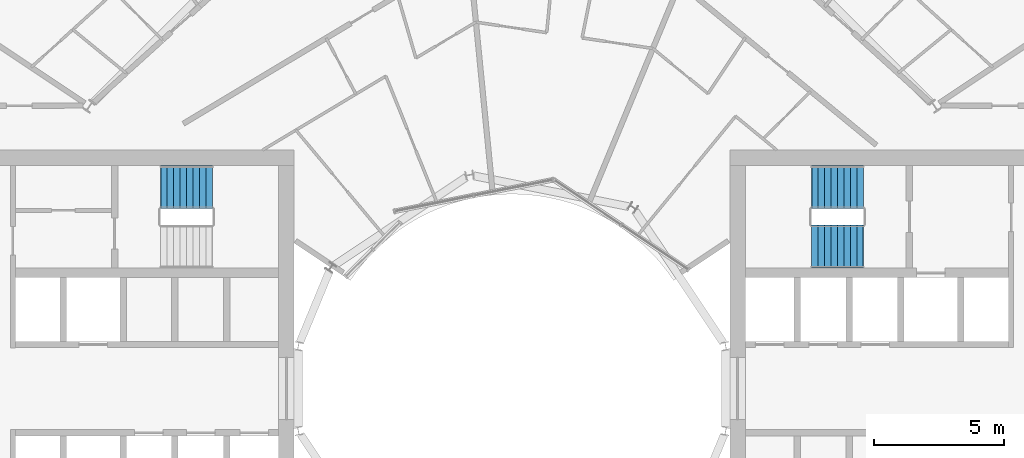
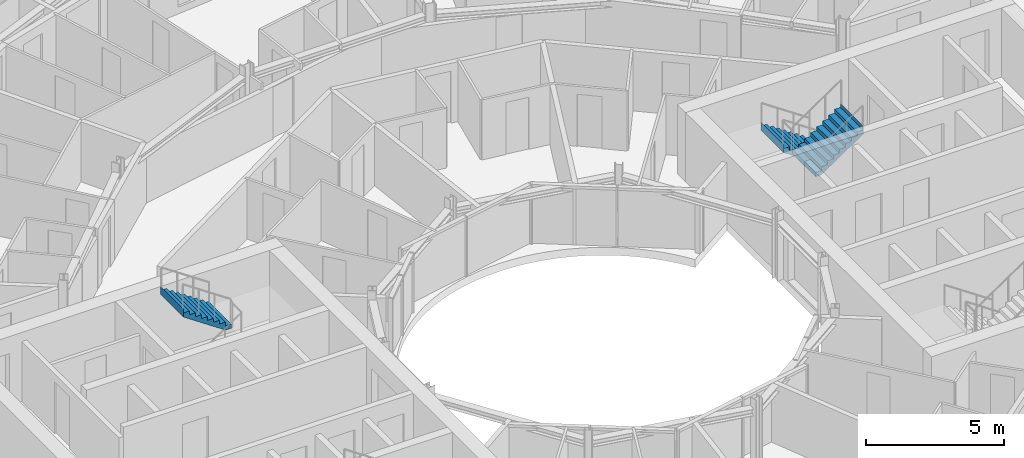
# One storey, part 25 of 27: 3 stair flights, 2 elements without a shape of their own.
"""IFC4 building model written with IfcOpenShell, lengths in metres."""

from ifc_helpers import new_model, si_unit, direction, frame, origin, place, context, subcontext, project, spatial, triangles, material, type_object, element, aggregate, save


model = new_model("IFC4")

# Units and contexts
model_context = context("Model", 3, precision=1e-05, world=origin(), true_north=direction((0.0, 1.0)))
body_context = subcontext(model_context, "Body", "Model", "MODEL_VIEW")
ifc_project = project(units=[si_unit("LENGTHUNIT", "METRE"), si_unit("AREAUNIT", "SQUARE_METRE"), si_unit("VOLUMEUNIT", "CUBIC_METRE"), si_unit("PLANEANGLEUNIT", "RADIAN"), si_unit("MASSUNIT", "GRAM", prefix="KILO")], contexts=[model_context])

# Site, building, storey
site_placement = place(None, origin())
site = spatial("IfcSite", under=ifc_project, at=site_placement, CompositionType="ELEMENT")
building_placement = place(site_placement, origin())
building = spatial("IfcBuilding", under=site, at=building_placement, Name="Maasbend Ring Residences", CompositionType="ELEMENT")
storey_placement = place(building_placement, frame((0.0, 0.0, 136.050048828125)))
storey = spatial("IfcBuildingStorey", under=building, at=storey_placement, Name="L39", CompositionType="ELEMENT", Elevation=136.050048828125)

# Stair, stair flights
ifc_material_1 = material(Name="Concrete C40/50", Category="concrete")
stair_type = type_object("IfcStairType", Name="CORE STAIR 18 RISERS", PredefinedType="HALF_TURN_STAIR", material=ifc_material_1)
stair_1_placement = place(storey_placement, origin())
stair_1 = element("IfcStair", 1, at=stair_1_placement, inside=storey, type_object=stair_type, Name="L39 Exit stair ST-E1", PredefinedType="HALF_TURN_STAIR")
ifc_material_2 = material(Name="Concrete C40/50", Category="concrete")
stair_flight_type = type_object("IfcStairFlightType", Name="CORE STAIR FLIGHT 1650", PredefinedType="STRAIGHT", material=ifc_material_2)
stair_flight_1_placement = place(storey_placement, frame((13.550048828125, 7.77490234375, 0.0), z_axis=(0.0, 0.0, 1.0), x_axis=(-1.0, 0.0, 0.0)))
stair_flight_1 = element("IfcStairFlight", 2, at=stair_flight_1_placement, type_object=stair_flight_type, Name="ST-E1 flight 1", NumberOfRisers=9, NumberOfTreads=8, PredefinedType="STRAIGHT", RiserHeight=0.169444444, TreadLength=0.25, context=body_context, shape_type="Tessellation", body=[
    triangles([(0.24072265625, 0.824951171875, -0.02001953125), (2.0029296875, 0.824951171875, 1.174560546875), (2.0029296875, 0.824951171875, 1.52490234375), (1.989990234375, 0.824951171875, 1.35546875), (1.75, 0.824951171875, 1.35546875), (1.75, 0.824951171875, 1.18603515625), (1.5, 0.824951171875, 1.18603515625), (1.5, 0.824951171875, 1.0166015625), (1.25, 0.824951171875, 1.0166015625), (1.25, 0.824951171875, 0.84716796875), (1.0, 0.824951171875, 0.84716796875), (1.0, 0.824951171875, 0.677734375), (0.75, 0.824951171875, 0.677734375), (0.75, 0.824951171875, 0.50830078125), (0.5, 0.824951171875, 0.50830078125), (0.5, 0.824951171875, 0.3388671875), (0.25, 0.824951171875, 0.3388671875), (0.25, 0.824951171875, 0.16943359375), (0.0, 0.824951171875, 0.16943359375), (0.0, 0.824951171875, 0.0), (-0.0029296875, 0.824951171875, 0.0), (-0.0029296875, 0.824951171875, -0.02001953125), (0.24072265625, 0.27490234375, -0.02001953125), (2.0029296875, 0.27490234375, 1.174560546875), (2.0029296875, 0.27490234375, 1.52490234375), (1.989990234375, 0.27490234375, 1.35546875), (1.75, 0.27490234375, 1.35546875), (1.75, 0.27490234375, 1.18603515625), (1.5, 0.27490234375, 1.18603515625), (1.5, 0.27490234375, 1.0166015625), (1.25, 0.27490234375, 1.0166015625), (1.25, 0.27490234375, 0.84716796875), (1.0, 0.27490234375, 0.84716796875), (1.0, 0.27490234375, 0.677734375), (0.75, 0.27490234375, 0.677734375), (0.75, 0.27490234375, 0.50830078125), (0.5, 0.27490234375, 0.50830078125), (0.5, 0.27490234375, 0.3388671875), (0.25, 0.27490234375, 0.3388671875), (0.25, 0.27490234375, 0.16943359375), (0.0, 0.27490234375, 0.16943359375), (0.0, 0.27490234375, 0.0), (-0.0029296875, 0.27490234375, 0.0), (-0.0029296875, 0.27490234375, -0.02001953125), (0.24072265625, -0.27490234375, -0.02001953125), (2.0029296875, -0.27490234375, 1.174560546875), (2.0029296875, -0.27490234375, 1.52490234375), (1.989990234375, -0.27490234375, 1.35546875), (1.75, -0.27490234375, 1.35546875), (1.75, -0.27490234375, 1.18603515625), (1.5, -0.27490234375, 1.18603515625), (1.5, -0.27490234375, 1.0166015625), (1.25, -0.27490234375, 1.0166015625), (1.25, -0.27490234375, 0.84716796875), (1.0, -0.27490234375, 0.84716796875), (1.0, -0.27490234375, 0.677734375), (0.75, -0.27490234375, 0.677734375), (0.75, -0.27490234375, 0.50830078125), (0.5, -0.27490234375, 0.50830078125), (0.5, -0.27490234375, 0.3388671875), (0.25, -0.27490234375, 0.3388671875), (0.25, -0.27490234375, 0.16943359375), (0.0, -0.27490234375, 0.16943359375), (0.0, -0.27490234375, 0.0), (-0.0029296875, -0.27490234375, 0.0), (-0.0029296875, -0.27490234375, -0.02001953125), (0.24072265625, -0.824951171875, -0.02001953125), (2.0029296875, -0.824951171875, 1.174560546875), (2.0029296875, -0.824951171875, 1.52490234375), (1.989990234375, -0.824951171875, 1.35546875), (1.75, -0.824951171875, 1.35546875), (1.75, -0.824951171875, 1.18603515625), (1.5, -0.824951171875, 1.18603515625), (1.5, -0.824951171875, 1.0166015625), (1.25, -0.824951171875, 1.0166015625), (1.25, -0.824951171875, 0.84716796875), (1.0, -0.824951171875, 0.84716796875), (1.0, -0.824951171875, 0.677734375), (0.75, -0.824951171875, 0.677734375), (0.75, -0.824951171875, 0.50830078125), (0.5, -0.824951171875, 0.50830078125), (0.5, -0.824951171875, 0.3388671875), (0.25, -0.824951171875, 0.3388671875), (0.25, -0.824951171875, 0.16943359375), (0.0, -0.824951171875, 0.16943359375), (0.0, -0.824951171875, 0.0), (-0.0029296875, -0.824951171875, 0.0), (-0.0029296875, -0.824951171875, -0.02001953125)], [[1, 2, 24], [1, 24, 23], [23, 24, 46], [23, 46, 45], [45, 46, 68], [45, 68, 67], [2, 3, 25], [2, 25, 24], [24, 25, 47], [24, 47, 46], [46, 47, 69], [46, 69, 68], [3, 4, 26], [3, 26, 25], [25, 26, 48], [25, 48, 47], [47, 48, 70], [47, 70, 69], [4, 5, 27], [4, 27, 26], [26, 27, 49], [26, 49, 48], [48, 49, 71], [48, 71, 70], [5, 6, 28], [5, 28, 27], [27, 28, 50], [27, 50, 49], [49, 50, 72], [49, 72, 71], [6, 7, 29], [6, 29, 28], [28, 29, 51], [28, 51, 50], [50, 51, 73], [50, 73, 72], [7, 8, 30], [7, 30, 29], [29, 30, 52], [29, 52, 51], [51, 52, 74], [51, 74, 73], [8, 9, 31], [8, 31, 30], [30, 31, 53], [30, 53, 52], [52, 53, 75], [52, 75, 74], [9, 10, 32], [9, 32, 31], [31, 32, 54], [31, 54, 53], [53, 54, 76], [53, 76, 75], [10, 11, 33], [10, 33, 32], [32, 33, 55], [32, 55, 54], [54, 55, 77], [54, 77, 76], [11, 12, 34], [11, 34, 33], [33, 34, 56], [33, 56, 55], [55, 56, 78], [55, 78, 77], [12, 13, 35], [12, 35, 34], [34, 35, 57], [34, 57, 56], [56, 57, 79], [56, 79, 78], [13, 14, 36], [13, 36, 35], [35, 36, 58], [35, 58, 57], [57, 58, 80], [57, 80, 79], [14, 15, 37], [14, 37, 36], [36, 37, 59], [36, 59, 58], [58, 59, 81], [58, 81, 80], [15, 16, 38], [15, 38, 37], [37, 38, 60], [37, 60, 59], [59, 60, 82], [59, 82, 81], [16, 17, 39], [16, 39, 38], [38, 39, 61], [38, 61, 60], [60, 61, 83], [60, 83, 82], [17, 18, 40], [17, 40, 39], [39, 40, 62], [39, 62, 61], [61, 62, 84], [61, 84, 83], [18, 19, 41], [18, 41, 40], [40, 41, 63], [40, 63, 62], [62, 63, 85], [62, 85, 84], [19, 20, 42], [19, 42, 41], [41, 42, 64], [41, 64, 63], [63, 64, 86], [63, 86, 85], [20, 21, 43], [20, 43, 42], [42, 43, 65], [42, 65, 64], [64, 65, 87], [64, 87, 86], [21, 22, 44], [21, 44, 43], [43, 44, 66], [43, 66, 65], [65, 66, 88], [65, 88, 87], [22, 1, 23], [22, 23, 44], [44, 23, 45], [44, 45, 66], [66, 45, 67], [66, 67, 88], [22, 2, 1], [2, 4, 3], [2, 5, 4], [2, 6, 5], [22, 6, 2], [6, 8, 7], [22, 8, 6], [8, 10, 9], [22, 10, 8], [10, 12, 11], [22, 12, 10], [12, 14, 13], [22, 14, 12], [14, 16, 15], [22, 16, 14], [16, 18, 17], [22, 18, 16], [18, 20, 19], [22, 20, 18], [20, 22, 21], [88, 67, 68], [68, 69, 70], [68, 70, 71], [68, 71, 72], [88, 68, 72], [72, 73, 74], [88, 72, 74], [74, 75, 76], [88, 74, 76], [76, 77, 78], [88, 76, 78], [78, 79, 80], [88, 78, 80], [80, 81, 82], [88, 80, 82], [82, 83, 84], [88, 82, 84], [84, 85, 86], [88, 84, 86], [86, 87, 88]], closed=True),
])
stair_flight_2_placement = place(storey_placement, frame((11.550048828125, 5.47509765625, 1.52490234375), z_axis=(0.0, 0.0, 1.0), x_axis=(1.0, 0.0, 0.0)))
stair_flight_2 = element("IfcStairFlight", 3, at=stair_flight_2_placement, type_object=stair_flight_type, Name="ST-E1 flight 2", NumberOfRisers=9, NumberOfTreads=8, PredefinedType="STRAIGHT", RiserHeight=0.169444444, TreadLength=0.25, context=body_context, shape_type="Tessellation", body=[
    triangles([(0.24072265625, 0.824951171875, -0.02001953125), (2.0029296875, 0.824951171875, 1.174560546875), (2.0029296875, 0.824951171875, 1.52490234375), (1.989990234375, 0.824951171875, 1.35546875), (1.75, 0.824951171875, 1.35546875), (1.75, 0.824951171875, 1.18603515625), (1.5, 0.824951171875, 1.18603515625), (1.5, 0.824951171875, 1.0166015625), (1.25, 0.824951171875, 1.0166015625), (1.25, 0.824951171875, 0.84716796875), (1.0, 0.824951171875, 0.84716796875), (1.0, 0.824951171875, 0.677734375), (0.75, 0.824951171875, 0.677734375), (0.75, 0.824951171875, 0.50830078125), (0.5, 0.824951171875, 0.50830078125), (0.5, 0.824951171875, 0.3388671875), (0.25, 0.824951171875, 0.3388671875), (0.25, 0.824951171875, 0.16943359375), (0.0, 0.824951171875, 0.16943359375), (0.0, 0.824951171875, 0.0), (-0.0029296875, 0.824951171875, 0.0), (-0.0029296875, 0.824951171875, -0.02001953125), (0.24072265625, 0.27490234375, -0.02001953125), (2.0029296875, 0.27490234375, 1.174560546875), (2.0029296875, 0.27490234375, 1.52490234375), (1.989990234375, 0.27490234375, 1.35546875), (1.75, 0.27490234375, 1.35546875), (1.75, 0.27490234375, 1.18603515625), (1.5, 0.27490234375, 1.18603515625), (1.5, 0.27490234375, 1.0166015625), (1.25, 0.27490234375, 1.0166015625), (1.25, 0.27490234375, 0.84716796875), (1.0, 0.27490234375, 0.84716796875), (1.0, 0.27490234375, 0.677734375), (0.75, 0.27490234375, 0.677734375), (0.75, 0.27490234375, 0.50830078125), (0.5, 0.27490234375, 0.50830078125), (0.5, 0.27490234375, 0.3388671875), (0.25, 0.27490234375, 0.3388671875), (0.25, 0.27490234375, 0.16943359375), (0.0, 0.27490234375, 0.16943359375), (0.0, 0.27490234375, 0.0), (-0.0029296875, 0.27490234375, 0.0), (-0.0029296875, 0.27490234375, -0.02001953125), (0.24072265625, -0.27490234375, -0.02001953125), (2.0029296875, -0.27490234375, 1.174560546875), (2.0029296875, -0.27490234375, 1.52490234375), (1.989990234375, -0.27490234375, 1.35546875), (1.75, -0.27490234375, 1.35546875), (1.75, -0.27490234375, 1.18603515625), (1.5, -0.27490234375, 1.18603515625), (1.5, -0.27490234375, 1.0166015625), (1.25, -0.27490234375, 1.0166015625), (1.25, -0.27490234375, 0.84716796875), (1.0, -0.27490234375, 0.84716796875), (1.0, -0.27490234375, 0.677734375), (0.75, -0.27490234375, 0.677734375), (0.75, -0.27490234375, 0.50830078125), (0.5, -0.27490234375, 0.50830078125), (0.5, -0.27490234375, 0.3388671875), (0.25, -0.27490234375, 0.3388671875), (0.25, -0.27490234375, 0.16943359375), (0.0, -0.27490234375, 0.16943359375), (0.0, -0.27490234375, 0.0), (-0.0029296875, -0.27490234375, 0.0), (-0.0029296875, -0.27490234375, -0.02001953125), (0.24072265625, -0.824951171875, -0.02001953125), (2.0029296875, -0.824951171875, 1.174560546875), (2.0029296875, -0.824951171875, 1.52490234375), (1.989990234375, -0.824951171875, 1.35546875), (1.75, -0.824951171875, 1.35546875), (1.75, -0.824951171875, 1.18603515625), (1.5, -0.824951171875, 1.18603515625), (1.5, -0.824951171875, 1.0166015625), (1.25, -0.824951171875, 1.0166015625), (1.25, -0.824951171875, 0.84716796875), (1.0, -0.824951171875, 0.84716796875), (1.0, -0.824951171875, 0.677734375), (0.75, -0.824951171875, 0.677734375), (0.75, -0.824951171875, 0.50830078125), (0.5, -0.824951171875, 0.50830078125), (0.5, -0.824951171875, 0.3388671875), (0.25, -0.824951171875, 0.3388671875), (0.25, -0.824951171875, 0.16943359375), (0.0, -0.824951171875, 0.16943359375), (0.0, -0.824951171875, 0.0), (-0.0029296875, -0.824951171875, 0.0), (-0.0029296875, -0.824951171875, -0.02001953125)], [[1, 2, 24], [1, 24, 23], [23, 24, 46], [23, 46, 45], [45, 46, 68], [45, 68, 67], [2, 3, 25], [2, 25, 24], [24, 25, 47], [24, 47, 46], [46, 47, 69], [46, 69, 68], [3, 4, 26], [3, 26, 25], [25, 26, 48], [25, 48, 47], [47, 48, 70], [47, 70, 69], [4, 5, 27], [4, 27, 26], [26, 27, 49], [26, 49, 48], [48, 49, 71], [48, 71, 70], [5, 6, 28], [5, 28, 27], [27, 28, 50], [27, 50, 49], [49, 50, 72], [49, 72, 71], [6, 7, 29], [6, 29, 28], [28, 29, 51], [28, 51, 50], [50, 51, 73], [50, 73, 72], [7, 8, 30], [7, 30, 29], [29, 30, 52], [29, 52, 51], [51, 52, 74], [51, 74, 73], [8, 9, 31], [8, 31, 30], [30, 31, 53], [30, 53, 52], [52, 53, 75], [52, 75, 74], [9, 10, 32], [9, 32, 31], [31, 32, 54], [31, 54, 53], [53, 54, 76], [53, 76, 75], [10, 11, 33], [10, 33, 32], [32, 33, 55], [32, 55, 54], [54, 55, 77], [54, 77, 76], [11, 12, 34], [11, 34, 33], [33, 34, 56], [33, 56, 55], [55, 56, 78], [55, 78, 77], [12, 13, 35], [12, 35, 34], [34, 35, 57], [34, 57, 56], [56, 57, 79], [56, 79, 78], [13, 14, 36], [13, 36, 35], [35, 36, 58], [35, 58, 57], [57, 58, 80], [57, 80, 79], [14, 15, 37], [14, 37, 36], [36, 37, 59], [36, 59, 58], [58, 59, 81], [58, 81, 80], [15, 16, 38], [15, 38, 37], [37, 38, 60], [37, 60, 59], [59, 60, 82], [59, 82, 81], [16, 17, 39], [16, 39, 38], [38, 39, 61], [38, 61, 60], [60, 61, 83], [60, 83, 82], [17, 18, 40], [17, 40, 39], [39, 40, 62], [39, 62, 61], [61, 62, 84], [61, 84, 83], [18, 19, 41], [18, 41, 40], [40, 41, 63], [40, 63, 62], [62, 63, 85], [62, 85, 84], [19, 20, 42], [19, 42, 41], [41, 42, 64], [41, 64, 63], [63, 64, 86], [63, 86, 85], [20, 21, 43], [20, 43, 42], [42, 43, 65], [42, 65, 64], [64, 65, 87], [64, 87, 86], [21, 22, 44], [21, 44, 43], [43, 44, 66], [43, 66, 65], [65, 66, 88], [65, 88, 87], [22, 1, 23], [22, 23, 44], [44, 23, 45], [44, 45, 66], [66, 45, 67], [66, 67, 88], [22, 2, 1], [2, 4, 3], [2, 5, 4], [2, 6, 5], [22, 6, 2], [6, 8, 7], [22, 8, 6], [8, 10, 9], [22, 10, 8], [10, 12, 11], [22, 12, 10], [12, 14, 13], [22, 14, 12], [14, 16, 15], [22, 16, 14], [16, 18, 17], [22, 18, 16], [18, 20, 19], [22, 20, 18], [20, 22, 21], [88, 67, 68], [68, 69, 70], [68, 70, 71], [68, 71, 72], [88, 68, 72], [72, 73, 74], [88, 72, 74], [74, 75, 76], [88, 74, 76], [76, 77, 78], [88, 76, 78], [78, 79, 80], [88, 78, 80], [80, 81, 82], [88, 80, 82], [82, 83, 84], [88, 82, 84], [84, 85, 86], [88, 84, 86], [86, 87, 88]], closed=True),
])
aggregate(stair_1, [stair_flight_1, stair_flight_2])

# Stair, stair flight
stair_2_placement = place(storey_placement, origin())
stair_2 = element("IfcStair", 4, at=stair_2_placement, inside=storey, type_object=stair_type, Name="L39 Exit stair ST-W2", PredefinedType="HALF_TURN_STAIR")
stair_flight_3_placement = place(storey_placement, frame((-11.550048828125, 7.77490234375, 1.52490234375), z_axis=(0.0, 0.0, 1.0), x_axis=(-1.0, 0.0, 0.0)))
stair_flight_3 = element("IfcStairFlight", 5, at=stair_flight_3_placement, type_object=stair_flight_type, Name="ST-W2 flight 2", NumberOfRisers=9, NumberOfTreads=8, PredefinedType="STRAIGHT", RiserHeight=0.169444444, TreadLength=0.25, context=body_context, shape_type="Tessellation", body=[
    triangles([(0.24072265625, 0.824951171875, -0.02001953125), (2.0029296875, 0.824951171875, 1.174560546875), (2.0029296875, 0.824951171875, 1.52490234375), (1.989990234375, 0.824951171875, 1.35546875), (1.75, 0.824951171875, 1.35546875), (1.75, 0.824951171875, 1.18603515625), (1.5, 0.824951171875, 1.18603515625), (1.5, 0.824951171875, 1.0166015625), (1.25, 0.824951171875, 1.0166015625), (1.25, 0.824951171875, 0.84716796875), (1.0, 0.824951171875, 0.84716796875), (1.0, 0.824951171875, 0.677734375), (0.75, 0.824951171875, 0.677734375), (0.75, 0.824951171875, 0.50830078125), (0.5, 0.824951171875, 0.50830078125), (0.5, 0.824951171875, 0.3388671875), (0.25, 0.824951171875, 0.3388671875), (0.25, 0.824951171875, 0.16943359375), (0.0, 0.824951171875, 0.16943359375), (0.0, 0.824951171875, 0.0), (-0.0029296875, 0.824951171875, 0.0), (-0.0029296875, 0.824951171875, -0.02001953125), (0.24072265625, 0.27490234375, -0.02001953125), (2.0029296875, 0.27490234375, 1.174560546875), (2.0029296875, 0.27490234375, 1.52490234375), (1.989990234375, 0.27490234375, 1.35546875), (1.75, 0.27490234375, 1.35546875), (1.75, 0.27490234375, 1.18603515625), (1.5, 0.27490234375, 1.18603515625), (1.5, 0.27490234375, 1.0166015625), (1.25, 0.27490234375, 1.0166015625), (1.25, 0.27490234375, 0.84716796875), (1.0, 0.27490234375, 0.84716796875), (1.0, 0.27490234375, 0.677734375), (0.75, 0.27490234375, 0.677734375), (0.75, 0.27490234375, 0.50830078125), (0.5, 0.27490234375, 0.50830078125), (0.5, 0.27490234375, 0.3388671875), (0.25, 0.27490234375, 0.3388671875), (0.25, 0.27490234375, 0.16943359375), (0.0, 0.27490234375, 0.16943359375), (0.0, 0.27490234375, 0.0), (-0.0029296875, 0.27490234375, 0.0), (-0.0029296875, 0.27490234375, -0.02001953125), (0.24072265625, -0.27490234375, -0.02001953125), (2.0029296875, -0.27490234375, 1.174560546875), (2.0029296875, -0.27490234375, 1.52490234375), (1.989990234375, -0.27490234375, 1.35546875), (1.75, -0.27490234375, 1.35546875), (1.75, -0.27490234375, 1.18603515625), (1.5, -0.27490234375, 1.18603515625), (1.5, -0.27490234375, 1.0166015625), (1.25, -0.27490234375, 1.0166015625), (1.25, -0.27490234375, 0.84716796875), (1.0, -0.27490234375, 0.84716796875), (1.0, -0.27490234375, 0.677734375), (0.75, -0.27490234375, 0.677734375), (0.75, -0.27490234375, 0.50830078125), (0.5, -0.27490234375, 0.50830078125), (0.5, -0.27490234375, 0.3388671875), (0.25, -0.27490234375, 0.3388671875), (0.25, -0.27490234375, 0.16943359375), (0.0, -0.27490234375, 0.16943359375), (0.0, -0.27490234375, 0.0), (-0.0029296875, -0.27490234375, 0.0), (-0.0029296875, -0.27490234375, -0.02001953125), (0.24072265625, -0.824951171875, -0.02001953125), (2.0029296875, -0.824951171875, 1.174560546875), (2.0029296875, -0.824951171875, 1.52490234375), (1.989990234375, -0.824951171875, 1.35546875), (1.75, -0.824951171875, 1.35546875), (1.75, -0.824951171875, 1.18603515625), (1.5, -0.824951171875, 1.18603515625), (1.5, -0.824951171875, 1.0166015625), (1.25, -0.824951171875, 1.0166015625), (1.25, -0.824951171875, 0.84716796875), (1.0, -0.824951171875, 0.84716796875), (1.0, -0.824951171875, 0.677734375), (0.75, -0.824951171875, 0.677734375), (0.75, -0.824951171875, 0.50830078125), (0.5, -0.824951171875, 0.50830078125), (0.5, -0.824951171875, 0.3388671875), (0.25, -0.824951171875, 0.3388671875), (0.25, -0.824951171875, 0.16943359375), (0.0, -0.824951171875, 0.16943359375), (0.0, -0.824951171875, 0.0), (-0.0029296875, -0.824951171875, 0.0), (-0.0029296875, -0.824951171875, -0.02001953125)], [[1, 2, 24], [1, 24, 23], [23, 24, 46], [23, 46, 45], [45, 46, 68], [45, 68, 67], [2, 3, 25], [2, 25, 24], [24, 25, 47], [24, 47, 46], [46, 47, 69], [46, 69, 68], [3, 4, 26], [3, 26, 25], [25, 26, 48], [25, 48, 47], [47, 48, 70], [47, 70, 69], [4, 5, 27], [4, 27, 26], [26, 27, 49], [26, 49, 48], [48, 49, 71], [48, 71, 70], [5, 6, 28], [5, 28, 27], [27, 28, 50], [27, 50, 49], [49, 50, 72], [49, 72, 71], [6, 7, 29], [6, 29, 28], [28, 29, 51], [28, 51, 50], [50, 51, 73], [50, 73, 72], [7, 8, 30], [7, 30, 29], [29, 30, 52], [29, 52, 51], [51, 52, 74], [51, 74, 73], [8, 9, 31], [8, 31, 30], [30, 31, 53], [30, 53, 52], [52, 53, 75], [52, 75, 74], [9, 10, 32], [9, 32, 31], [31, 32, 54], [31, 54, 53], [53, 54, 76], [53, 76, 75], [10, 11, 33], [10, 33, 32], [32, 33, 55], [32, 55, 54], [54, 55, 77], [54, 77, 76], [11, 12, 34], [11, 34, 33], [33, 34, 56], [33, 56, 55], [55, 56, 78], [55, 78, 77], [12, 13, 35], [12, 35, 34], [34, 35, 57], [34, 57, 56], [56, 57, 79], [56, 79, 78], [13, 14, 36], [13, 36, 35], [35, 36, 58], [35, 58, 57], [57, 58, 80], [57, 80, 79], [14, 15, 37], [14, 37, 36], [36, 37, 59], [36, 59, 58], [58, 59, 81], [58, 81, 80], [15, 16, 38], [15, 38, 37], [37, 38, 60], [37, 60, 59], [59, 60, 82], [59, 82, 81], [16, 17, 39], [16, 39, 38], [38, 39, 61], [38, 61, 60], [60, 61, 83], [60, 83, 82], [17, 18, 40], [17, 40, 39], [39, 40, 62], [39, 62, 61], [61, 62, 84], [61, 84, 83], [18, 19, 41], [18, 41, 40], [40, 41, 63], [40, 63, 62], [62, 63, 85], [62, 85, 84], [19, 20, 42], [19, 42, 41], [41, 42, 64], [41, 64, 63], [63, 64, 86], [63, 86, 85], [20, 21, 43], [20, 43, 42], [42, 43, 65], [42, 65, 64], [64, 65, 87], [64, 87, 86], [21, 22, 44], [21, 44, 43], [43, 44, 66], [43, 66, 65], [65, 66, 88], [65, 88, 87], [22, 1, 23], [22, 23, 44], [44, 23, 45], [44, 45, 66], [66, 45, 67], [66, 67, 88], [22, 2, 1], [2, 4, 3], [2, 5, 4], [2, 6, 5], [22, 6, 2], [6, 8, 7], [22, 8, 6], [8, 10, 9], [22, 10, 8], [10, 12, 11], [22, 12, 10], [12, 14, 13], [22, 14, 12], [14, 16, 15], [22, 16, 14], [16, 18, 17], [22, 18, 16], [18, 20, 19], [22, 20, 18], [20, 22, 21], [88, 67, 68], [68, 69, 70], [68, 70, 71], [68, 71, 72], [88, 68, 72], [72, 73, 74], [88, 72, 74], [74, 75, 76], [88, 74, 76], [76, 77, 78], [88, 76, 78], [78, 79, 80], [88, 78, 80], [80, 81, 82], [88, 80, 82], [82, 83, 84], [88, 82, 84], [84, 85, 86], [88, 84, 86], [86, 87, 88]], closed=True),
])
aggregate(stair_2, [stair_flight_3])

save(model, "model.ifc")
